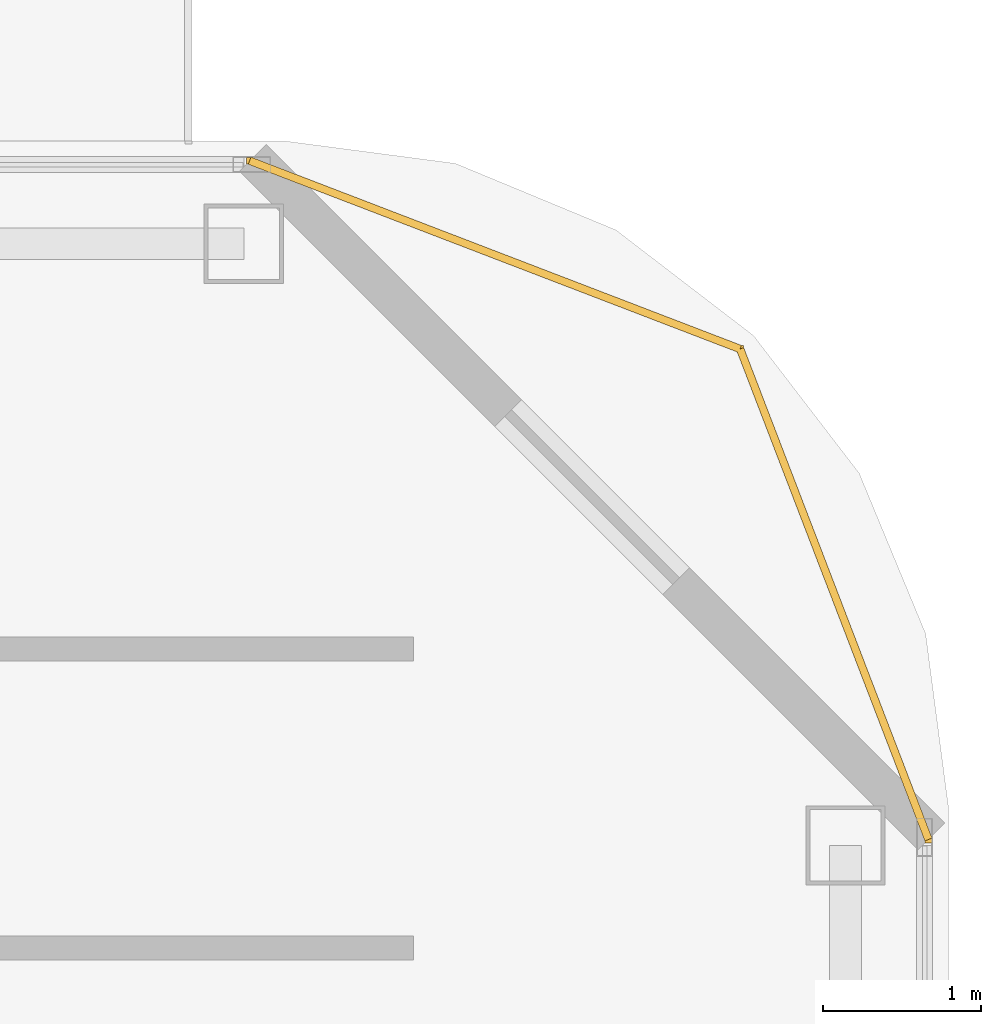
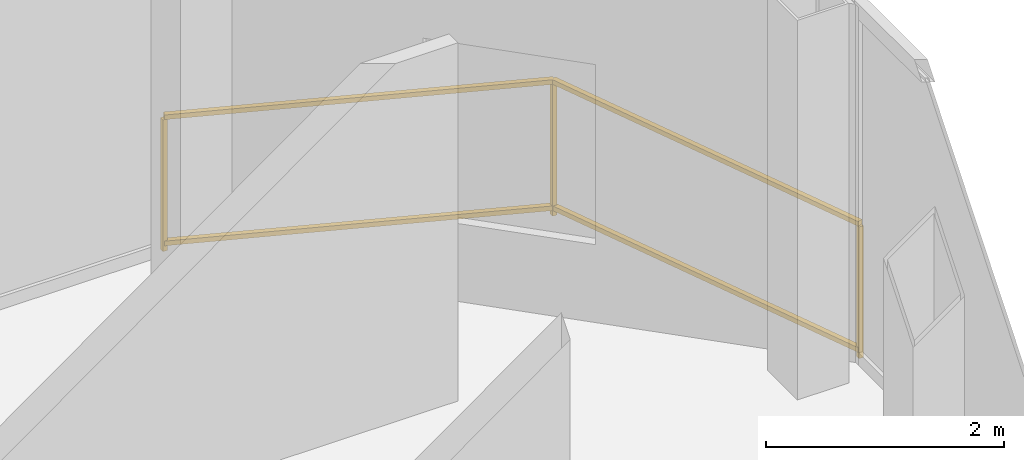
# One storey, part 26 of 26: 1 railing.
"""IFC4 building model written with IfcOpenShell, lengths in metres."""

import ifcopenshell
import ifcopenshell.guid

model = None  # the IFC model being written
_history = None  # IfcOwnerHistory: only IFC2X3 demands one
_inside = {}  # id of a spatial element -> (the spatial element, [elements in it])
_under = {}  # id of a project, library or spatial element -> (it, [spatial elements below it])
_declared = {}  # id of a project -> (the project, [libraries it declares])
_typed = {}  # id of a type object -> (the type object, [elements of that type])
_made_of = {}  # id of a material, layer set ... -> (it, [elements and type objects made of it])


def new_model(schema):
    """Start an empty IFC model of exactly this schema.

    Asked for "IFC4X3", IfcOpenShell would pick the latest addendum, in which some entities
    have other attributes; the version numbers below select the first issue.
    IFC2X3 requires an IfcOwnerHistory on every rooted entity: one is made here for all.
    """
    global model, _history
    if schema == "IFC4X3":
        model = ifcopenshell.file(schema_version=(4, 3, 0, 0))
    else:
        model = ifcopenshell.file(schema=schema)
    _inside.clear()
    _under.clear()
    _declared.clear()
    _typed.clear()
    _made_of.clear()
    _history = None
    if model.schema == "IFC2X3":
        org = make("IfcOrganization", Name="unknown")
        user = make(
            "IfcPersonAndOrganization",
            ThePerson=make("IfcPerson", FamilyName="unknown"),
            TheOrganization=org,
        )
        app = make(
            "IfcApplication",
            ApplicationDeveloper=org,
            Version="unknown",
            ApplicationFullName="unknown",
            ApplicationIdentifier="unknown",
        )
        _history = make(
            "IfcOwnerHistory",
            OwningUser=user,
            OwningApplication=app,
            ChangeAction="ADDED",
            CreationDate=0,
        )
    return model


def make(cls, **values):
    """One entity of the class cls with the attributes given. An attribute that is None is left unset."""
    return model.create_entity(
        cls, **{name: value for name, value in values.items() if value is not None}
    )


def rooted(cls, **values):
    """An entity with a GlobalId (a new one), such as an element, a storey or a relation."""
    return make(cls, GlobalId=ifcopenshell.guid.new(), OwnerHistory=_history, **values)


def si_unit(unit_type, name, prefix=None):
    """IfcSIUnit, for example si_unit("LENGTHUNIT", "METRE", prefix="MILLI")."""
    return make("IfcSIUnit", UnitType=unit_type, Prefix=prefix, Name=name)


def assignment(units):
    """IfcUnitAssignment: the units of a project."""
    return None if units is None else make("IfcUnitAssignment", Units=units)


def point(xyz):
    """IfcCartesianPoint."""
    return None if xyz is None else make("IfcCartesianPoint", Coordinates=xyz)


def direction(xyz):
    """IfcDirection."""
    return None if xyz is None else make("IfcDirection", DirectionRatios=xyz)


def frame(location, z_axis=None, x_axis=None):
    """IfcAxis2Placement3D, a coordinate frame: its origin and axes. An axis left out is left unset."""
    return make(
        "IfcAxis2Placement3D",
        Location=point(location),
        Axis=direction(z_axis),
        RefDirection=direction(x_axis),
    )


def frame_2d(location, x_axis=None):
    """IfcAxis2Placement2D, a coordinate frame in the plane: its origin and x axis."""
    return make(
        "IfcAxis2Placement2D", Location=point(location), RefDirection=direction(x_axis)
    )


def origin():
    """The frame at (0, 0, 0) with its axes left unset."""
    return frame((0.0, 0.0, 0.0))


def origin_2d():
    """The frame at (0, 0) in the plane with its x axis left unset."""
    return frame_2d((0.0, 0.0))


def place(relative_to, where):
    """IfcLocalPlacement: puts the frame where relative to a parent placement (None: the world)."""
    return make(
        "IfcLocalPlacement", PlacementRelTo=relative_to, RelativePlacement=where
    )


def context(
    kind, dimensions, precision=None, world=None, true_north=None, identifier=None
):
    """IfcGeometricRepresentationContext, for example the 3D "Model" context."""
    return make(
        "IfcGeometricRepresentationContext",
        ContextIdentifier=identifier,
        ContextType=kind,
        CoordinateSpaceDimension=dimensions,
        Precision=precision,
        WorldCoordinateSystem=world,
        TrueNorth=true_north,
    )


def subcontext(parent, identifier, kind, view, scale=None):
    """IfcGeometricRepresentationSubContext, for example "Body" below "Model"."""
    return make(
        "IfcGeometricRepresentationSubContext",
        ContextIdentifier=identifier,
        ContextType=kind,
        ParentContext=parent,
        TargetScale=scale,
        TargetView=view,
    )


def project(units=None, contexts=None):
    """IfcProject with its units and contexts."""
    return rooted(
        "IfcProject",
        Name="project",
        RepresentationContexts=contexts,
        UnitsInContext=assignment(units),
    )


def spatial(cls, under=None, at=None, **own):
    """A site, building, storey or space (cls), placed at a placement, below another one or the project."""
    s = rooted(cls, ObjectPlacement=at, **own)
    if under is not None:
        _under.setdefault(under.id(), (under, []))[1].append(s)
    return s


def profile(cls, at=None, kind="AREA", **sizes):
    """A parametric profile (cls). Its sizes go by their IFC names, for example OverallWidth=200.0."""
    return make(cls, ProfileType=kind, Position=at, **sizes)


def rectangle(**sizes):
    """IfcRectangleProfileDef."""
    return profile("IfcRectangleProfileDef", **sizes)


def extrude(swept, where, along, depth):
    """IfcExtrudedAreaSolid: the profile swept, set in the frame where, extruded along a direction by depth."""
    return make(
        "IfcExtrudedAreaSolid",
        SweptArea=swept,
        Position=where,
        ExtrudedDirection=direction(along),
        Depth=depth,
    )


def shape(context_of_items, identifier, shape_type, items):
    """IfcShapeRepresentation: the items that make up one representation, for example the "Body"."""
    return make(
        "IfcShapeRepresentation",
        ContextOfItems=context_of_items,
        RepresentationIdentifier=identifier,
        RepresentationType=shape_type,
        Items=items,
    )


def material(Name=None, Category=None):
    """IfcMaterial."""
    return make("IfcMaterial", Name=Name, Category=Category)


def made_of(thing, what):
    """Note that an element or type object is made of a material, layer set ...; save() writes the relation."""
    if what is not None:
        _made_of.setdefault(what.id(), (what, []))[1].append(thing)
    return thing


def type_object(cls, material=None, **own):
    """A type object (cls), such as IfcWallType, which elements share."""
    return made_of(rooted(cls, **own), material)


def element(
    cls,
    number,
    at=None,
    inside=None,
    cuts=None,
    type_object=None,
    material=None,
    context=None,
    identifier="Body",
    shape_type=None,
    held_by="IfcProductDefinitionShape",
    body=None,
    shapes=None,
    **own,
):
    """One element of the class cls, such as IfcWall. Its Tag is "e" and its number.

    at: its placement. inside: the storey or other place that contains it. cuts: it is an
    opening in that element (IfcRelVoidsElement). A single representation is given by context,
    identifier, shape_type and body (its items); several are given by shapes. held_by: the class
    of the entity that holds the representations. save() writes the other relations.
    """
    e = rooted(cls, Tag="e%d" % number, ObjectPlacement=at, **own)
    if body is not None:
        shapes = [shape(context, identifier, shape_type, body)]
    if shapes is not None:
        e.Representation = make(held_by, Representations=shapes)
    if inside is not None:
        _inside.setdefault(inside.id(), (inside, []))[1].append(e)
    if cuts is not None:
        rooted(
            "IfcRelVoidsElement", RelatingBuildingElement=cuts, RelatedOpeningElement=e
        )
    if type_object is not None:
        _typed.setdefault(type_object.id(), (type_object, []))[1].append(e)
    return made_of(e, material)


def aggregate(whole, parts):
    """IfcRelAggregates: a whole, such as a stair, and the parts it consists of."""
    return rooted("IfcRelAggregates", RelatingObject=whole, RelatedObjects=parts)


def save(model, path):
    """Write the relations noted so far, then the file.

    IfcRelAggregates (storeys below a building ...), IfcRelContainedInSpatialStructure (elements
    in a storey), IfcRelDefinesByType, IfcRelAssociatesMaterial and IfcRelDeclares: one each for
    every whole, place, type object, material and project.
    """
    for whole, parts in _under.values():
        aggregate(whole, parts)
    for where, things in _inside.values():
        rooted(
            "IfcRelContainedInSpatialStructure",
            RelatedElements=things,
            RelatingStructure=where,
        )
    for kind, things in _typed.values():
        rooted("IfcRelDefinesByType", RelatedObjects=things, RelatingType=kind)
    for what, things in _made_of.values():
        rooted("IfcRelAssociatesMaterial", RelatedObjects=things, RelatingMaterial=what)
    for by, libraries in _declared.values():
        rooted("IfcRelDeclares", RelatingContext=by, RelatedDefinitions=libraries)
    model.write(path)


model = new_model("IFC4")

# Units and contexts
model_context = context("Model", 3, precision=1e-05, world=origin(), true_north=direction((0.0, 1.0)))
body_context = subcontext(model_context, "Body", "Model", "MODEL_VIEW")
ifc_project = project(units=[si_unit("LENGTHUNIT", "METRE"), si_unit("AREAUNIT", "SQUARE_METRE"), si_unit("VOLUMEUNIT", "CUBIC_METRE"), si_unit("PLANEANGLEUNIT", "RADIAN"), si_unit("MASSUNIT", "GRAM", prefix="KILO")], contexts=[model_context])

# Site, building, storey
site_placement = place(None, origin())
site = spatial("IfcSite", under=ifc_project, at=site_placement, CompositionType="ELEMENT")
building_placement = place(site_placement, origin())
building = spatial("IfcBuilding", under=site, at=building_placement, Name="Khorvyn Point Tower", CompositionType="ELEMENT")
storey_placement = place(building_placement, frame((0.0, 0.0, 262.5)))
storey = spatial("IfcBuildingStorey", under=building, at=storey_placement, Name="L64", CompositionType="ELEMENT", Elevation=262.5)

# Railing
ifc_material = material(Name="Anodised aluminium 6063-T6 and laminated safety glass", Category="aluminium")
railing_type = type_object("IfcRailingType", Name="Laminated Glass and Aluminium Balcony Guardrail 1400", PredefinedType="BALUSTRADE", material=ifc_material)
railing_placement = place(storey_placement, frame((24.7744140625, 16.78662109375, 0.0)))
element("IfcRailing", 1, at=railing_placement, inside=storey, type_object=railing_type, Name="L64 Rounded Corner Edge Guardrail NE", PredefinedType="BALUSTRADE", context=body_context, shape_type="SweptSolid", body=[
    extrude(rectangle(XDim=0.048095703125, YDim=0.048095703125, at=origin_2d()), frame((0.0, 0.0, 1.3759765625), z_axis=(-0.358392411044, 0.93357103624, 0.0), x_axis=(-0.93357103624, -0.358392411044, 0.0)), (0.0, 0.0, 1.0), 3.31884765625),
    extrude(rectangle(XDim=0.048095703125, YDim=0.048095703125, at=origin_2d()), frame((0.0, 0.0, 0.080078125), z_axis=(-0.358392411044, 0.93357103624, 0.0), x_axis=(-0.93357103624, -0.358392411044, 0.0)), (0.0, 0.0, 1.0), 3.31884765625),
    extrude(rectangle(XDim=0.048095703125, YDim=0.048095703125, at=origin_2d()), frame((-1.189453125, 3.098388671875, 1.3759765625), z_axis=(-0.93357103624, 0.358392411044, 0.0), x_axis=(-0.358392411044, -0.93357103624, 0.0)), (0.0, 0.0, 1.0), 3.31884765625),
    extrude(rectangle(XDim=0.048095703125, YDim=0.048095703125, at=origin_2d()), frame((-1.189453125, 3.098388671875, 0.080078125), z_axis=(-0.93357103624, 0.358392411044, 0.0), x_axis=(-0.358392411044, -0.93357103624, 0.0)), (0.0, 0.0, 1.0), 3.31884765625),
    extrude(rectangle(XDim=0.0419921875, YDim=0.0419921875, at=origin_2d()), origin(), (0.0, 0.0, 1.0), 1.351806640625),
    extrude(rectangle(XDim=0.0419921875, YDim=0.0419921875, at=origin_2d()), frame((-1.189453125, 3.098388671875, 0.0)), (0.0, 0.0, 1.0), 1.351806640625),
    extrude(rectangle(XDim=0.0419921875, YDim=0.0419921875, at=origin_2d()), frame((-4.287841796875, 4.287841796875, 0.0)), (0.0, 0.0, 1.0), 1.351806640625),
])

save(model, "model.ifc")
